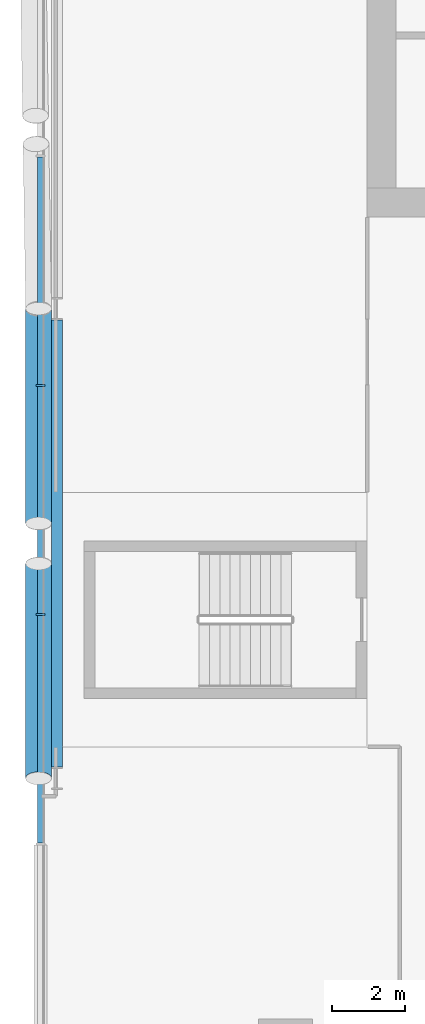
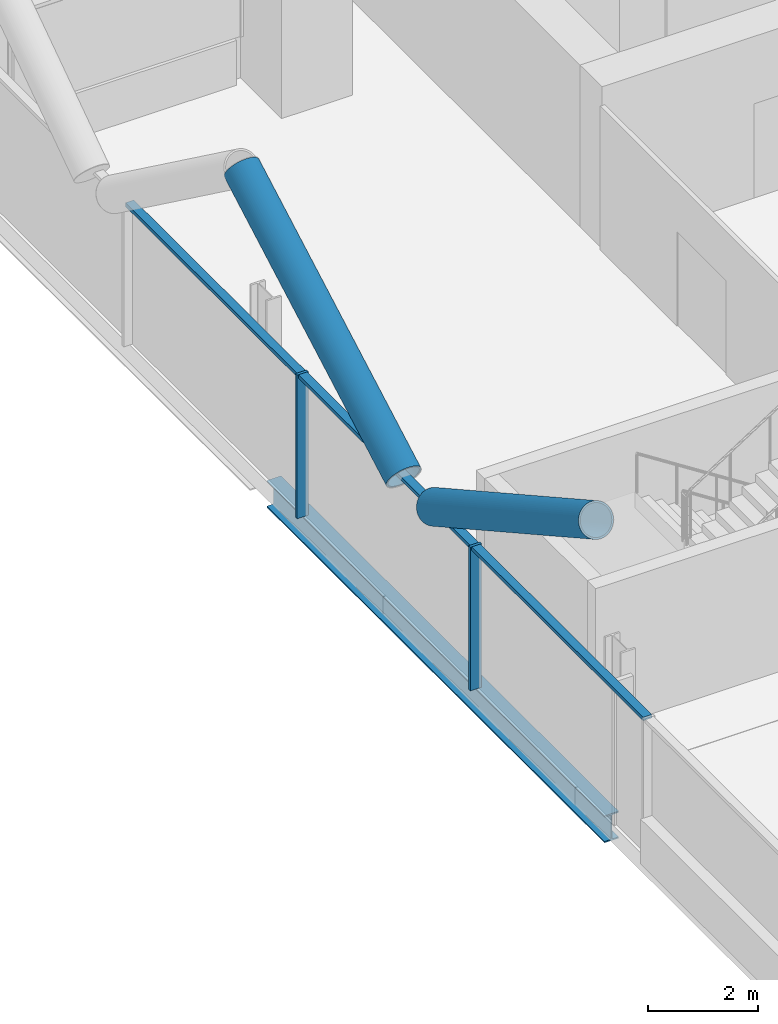
# One storey, part 7 of 26: 7 members, 1 beam, 1 element without a shape of its own.
"""IFC4 building model written with IfcOpenShell, lengths in metres."""

from ifc_helpers import new_model, si_unit, direction, frame, origin, origin_2d, place, context, subcontext, project, spatial, rectangle, hollow_circle, i_section, extrude, material, material_profile, profile_set, type_object, element, aggregate, save


model = new_model("IFC4")

# Units and contexts
model_context = context("Model", 3, precision=1e-05, world=origin(), true_north=direction((0.0, 1.0)))
body_context = subcontext(model_context, "Body", "Model", "MODEL_VIEW")
ifc_project = project(units=[si_unit("LENGTHUNIT", "METRE"), si_unit("AREAUNIT", "SQUARE_METRE"), si_unit("VOLUMEUNIT", "CUBIC_METRE"), si_unit("PLANEANGLEUNIT", "RADIAN"), si_unit("MASSUNIT", "GRAM", prefix="KILO")], contexts=[model_context])

# Site, building, storey
site_placement = place(None, origin())
site = spatial("IfcSite", under=ifc_project, at=site_placement, CompositionType="ELEMENT")
building_placement = place(site_placement, origin())
building = spatial("IfcBuilding", under=site, at=building_placement, Name="Wharfspan Tower", CompositionType="ELEMENT")
storey_placement = place(building_placement, frame((0.0, 0.0, 180.699951)))
storey = spatial("IfcBuildingStorey", under=building, at=storey_placement, Name="L44", CompositionType="ELEMENT", Elevation=180.699951)

# Beam
ifc_material_1 = material(Name="Steel S355J2", Category="steel")
ifc_material_profile_1 = material_profile(ifc_material_1, i_section(OverallWidth=0.300049, OverallDepth=0.600098, WebThickness=0.015381, FlangeThickness=0.030029, FilletRadius=0.0271, at=origin_2d()))
ifc_profile_set_1 = profile_set([ifc_material_profile_1], Name="Steel S355J2")
beam_type = type_object("IfcBeamType", Name="Edge beam HEB 600", PredefinedType="SPANDREL", material=ifc_profile_set_1)
beam_placement = place(storey_placement, frame((7.449951, 31.160645, -0.699951), z_axis=(0.0, -1.0, 0.0), x_axis=(1.0, 0.0, 0.0)))
element("IfcBeam", 1, at=beam_placement, inside=storey, type_object=beam_type, Name="Edge beam W L44 PW.1 to PW.2", PredefinedType="SPANDREL", context=body_context, shape_type="SweptSolid", body=[
    extrude(i_section(OverallWidth=0.300049, OverallDepth=0.600098, WebThickness=0.015381, FlangeThickness=0.030029, FilletRadius=0.0271, at=origin_2d()), origin(), (0.0, 0.0, 1.0), 12.321289),
])

# Curtain wall, members
ifc_material_2 = material(Name="Aluminium 6063-T6", Category="aluminium")
curtain_wall_type = type_object("IfcCurtainWallType", Name="CURTAIN WALL PROW AND END", PredefinedType="NOTDEFINED", material=ifc_material_2)
curtain_wall_placement = place(storey_placement, origin())
curtain_wall = element("IfcCurtainWall", 2, at=curtain_wall_placement, inside=storey, type_object=curtain_wall_type, Name="Curtain wall W", PredefinedType="NOTDEFINED")
ifc_material_profile_2 = material_profile(ifc_material_2, rectangle(XDim=0.23999, YDim=0.060059, at=origin_2d()))
ifc_profile_set_2 = profile_set([ifc_material_profile_2], Name="Aluminium 6063-T6")
member_type_1 = type_object("IfcMemberType", Name="MULLION PROW AND END 60x240", PredefinedType="MULLION", material=ifc_profile_set_2)
member_1_placement = place(storey_placement, frame((7.0, 29.360107, 0.0), z_axis=(0.0, 0.0, 1.0), x_axis=(1.0, 0.0, 0.0)))
member_1 = element("IfcMember", 3, at=member_1_placement, type_object=member_type_1, Name="Curtain wall W mullion 3", PredefinedType="MULLION", context=body_context, shape_type="SweptSolid", body=[
    extrude(rectangle(XDim=0.23999, YDim=0.060059, at=origin_2d()), origin(), (0.0, 0.0, 1.0), 3.199951),
])
member_2_placement = place(storey_placement, frame((7.0, 23.040039, 0.0), z_axis=(0.0, 0.0, 1.0), x_axis=(1.0, 0.0, 0.0)))
member_2 = element("IfcMember", 4, at=member_2_placement, type_object=member_type_1, Name="Curtain wall W mullion 4", PredefinedType="MULLION", context=body_context, shape_type="SweptSolid", body=[
    extrude(rectangle(XDim=0.23999, YDim=0.060059, at=origin_2d()), origin(), (0.0, 0.0, 1.0), 3.199951),
])

# Members
ifc_material_3 = material(Name="Steel S460NH", Category="steel")
ifc_material_profile_3 = material_profile(ifc_material_3, hollow_circle(Radius=0.355469, WallThickness=0.035889, at=origin_2d()))
ifc_profile_set_3 = profile_set([ifc_material_profile_3], Name="Steel S460NH")
member_type_2 = type_object("IfcMemberType", Name="Mega brace CHS 711x36", PredefinedType="BRACE", material=ifc_profile_set_3)
for number, where, z_axis, x_axis, name in (
    (5, (6.945068, 24.445557, 3.20874), (0.0, -0.873733, 0.486406), (1.0, 0.0, 0.0), "Mega brace W3 L44 part 2"),
    (6, (6.945068, 25.554443, 3.20874), (0.0, 0.873733, 0.486406), (-1.0, 0.0, 0.0), "Mega brace W3 L44 part 4"),
):
    element("IfcMember", number, at=place(storey_placement, frame(where, z_axis=z_axis, x_axis=x_axis)), inside=storey, type_object=member_type_2, Name=name, PredefinedType="BRACE", context=body_context, shape_type="SweptSolid", body=[
        extrude(hollow_circle(Radius=0.355469, WallThickness=0.035889, at=origin_2d()), origin(), (0.0, 0.0, 1.0), 6.766602),
    ])

# Member
ifc_material_profile_4 = material_profile(ifc_material_2, rectangle(XDim=0.179932, YDim=0.080078, at=origin_2d()))
ifc_profile_set_4 = profile_set([ifc_material_profile_4], Name="Aluminium 6063-T6")
member_type_3 = type_object("IfcMemberType", Name="TRANSOM PROW AND END 80x180", PredefinedType="USERDEFINED", material=ifc_profile_set_4)
member_3_placement = place(storey_placement, frame((7.0, 35.649902, 3.160156), z_axis=(0.0, -1.0, 0.0), x_axis=(1.0, 0.0, 0.0)))
member_3 = element("IfcMember", 7, at=member_3_placement, type_object=member_type_3, Name="Curtain wall W transom 2", ObjectType="TRANSOM", PredefinedType="USERDEFINED", context=body_context, shape_type="SweptSolid", body=[
    extrude(rectangle(XDim=0.179932, YDim=0.080078, at=origin_2d()), origin(), (0.0, 0.0, 1.0), 6.26001),
])

member_4_placement = place(storey_placement, frame((7.0, 29.330078, 3.160156), z_axis=(0.0, -1.0, 0.0), x_axis=(1.0, 0.0, 0.0)))
member_4 = element("IfcMember", 8, at=member_4_placement, type_object=member_type_3, Name="Curtain wall W transom 3", ObjectType="TRANSOM", PredefinedType="USERDEFINED", context=body_context, shape_type="SweptSolid", body=[
    extrude(rectangle(XDim=0.179932, YDim=0.080078, at=origin_2d()), origin(), (0.0, 0.0, 1.0), 6.26001),
])

member_5_placement = place(storey_placement, frame((7.0, 23.01001, 3.160156), z_axis=(0.0, -1.0, 0.0), x_axis=(1.0, 0.0, 0.0)))
member_5 = element("IfcMember", 9, at=member_5_placement, type_object=member_type_3, Name="Curtain wall W transom 4", ObjectType="TRANSOM", PredefinedType="USERDEFINED", context=body_context, shape_type="SweptSolid", body=[
    extrude(rectangle(XDim=0.179932, YDim=0.080078, at=origin_2d()), origin(), (0.0, 0.0, 1.0), 6.26001),
])

aggregate(curtain_wall, [member_1, member_2, member_3, member_4, member_5])

save(model, "model.ifc")
